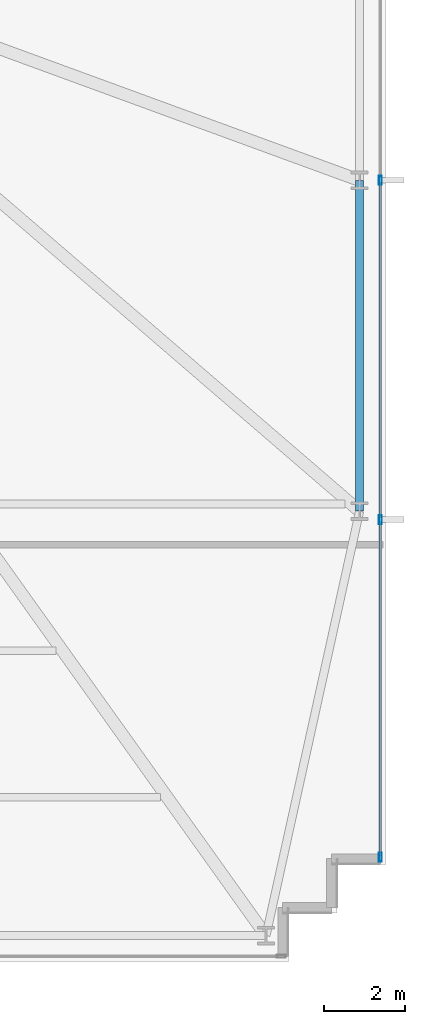
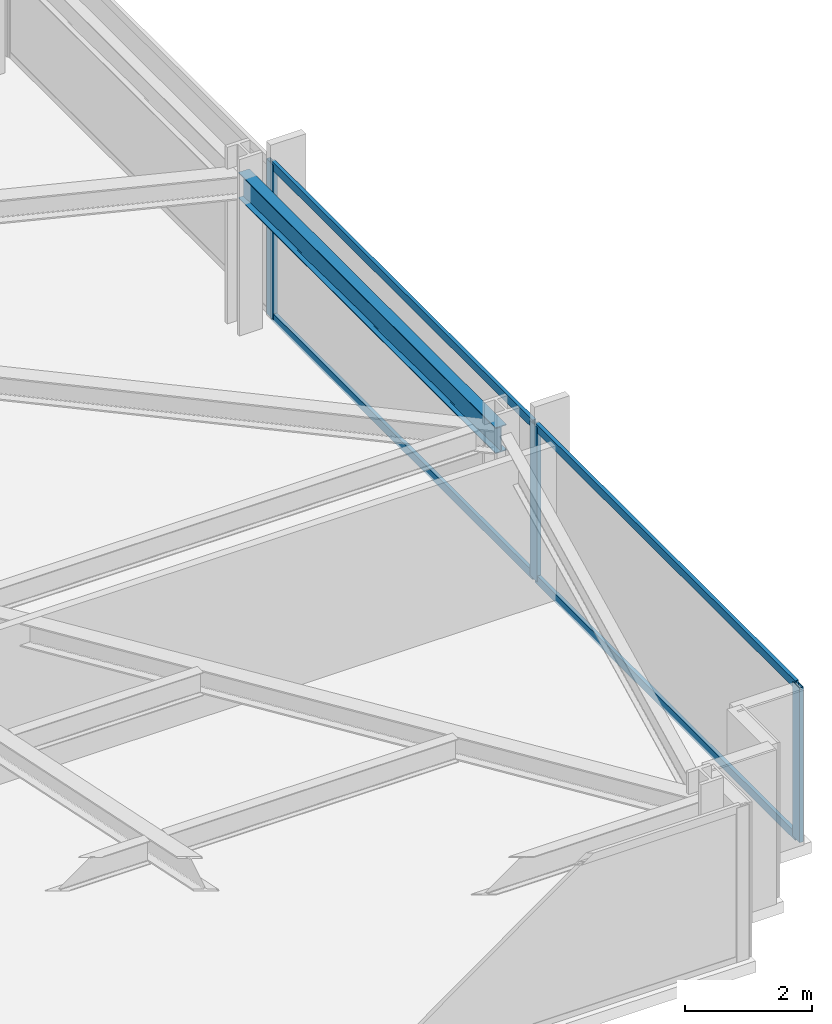
# One storey, part 22 of 32: 7 members, 1 beam, 1 element without a shape of its own.
"""IFC4 building model written with IfcOpenShell, lengths in metres."""

from ifc_helpers import new_model, si_unit, direction, frame, origin, origin_2d, place, context, subcontext, project, spatial, hollow_rectangle, i_section, extrude, material, material_profile, profile_set, type_object, element, aggregate, save


model = new_model("IFC4")

# Units and contexts
model_context = context("Model", 3, precision=1e-05, world=origin(), true_north=direction((0.0, 1.0)))
body_context = subcontext(model_context, "Body", "Model", "MODEL_VIEW")
ifc_project = project(units=[si_unit("LENGTHUNIT", "METRE"), si_unit("AREAUNIT", "SQUARE_METRE"), si_unit("VOLUMEUNIT", "CUBIC_METRE"), si_unit("PLANEANGLEUNIT", "RADIAN"), si_unit("MASSUNIT", "GRAM", prefix="KILO")], contexts=[model_context])

# Site, building, storey
site_placement = place(None, origin())
site = spatial("IfcSite", under=ifc_project, at=site_placement, CompositionType="ELEMENT")
building_placement = place(site_placement, origin())
building = spatial("IfcBuilding", under=site, at=building_placement, Name="Yelkora Congress Tower", CompositionType="ELEMENT")
storey_placement = place(building_placement, frame((0.0, 0.0, 74.60009765625)))
storey = spatial("IfcBuildingStorey", under=building, at=storey_placement, Name="L19", CompositionType="ELEMENT", Elevation=74.60009765625)

# Beam
ifc_material_1 = material(Name="Steel S355J2", Category="steel")
ifc_material_profile_1 = material_profile(ifc_material_1, i_section(OverallWidth=0.199951171875, OverallDepth=0.5, WebThickness=0.01025390625, FlangeThickness=0.01611328125, FilletRadius=0.02099609375, at=origin_2d()), Name="IPE 500")
ifc_profile_set_1 = profile_set([ifc_material_profile_1], Name="Steel S355J2")
beam_type = type_object("IfcBeamType", Name="BM-SPAN-IPE500", PredefinedType="SPANDREL", material=ifc_profile_set_1)
beam_placement = place(storey_placement, frame((70.14990234375, 21.27490234375, 2.72998046875), z_axis=(0.0, 1.0, 0.0), x_axis=(-1.0, 0.0, 0.0)))
element("IfcBeam", 1, at=beam_placement, inside=storey, type_object=beam_type, Name="L19 Perimeter Beam 11", PredefinedType="SPANDREL", context=body_context, shape_type="SweptSolid", body=[
    extrude(i_section(OverallWidth=0.199951171875, OverallDepth=0.5, WebThickness=0.01025390625, FlangeThickness=0.01611328125, FilletRadius=0.02099609375, at=origin_2d()), origin(), (0.0, 0.0, 1.0), 8.125),
])

# Curtain wall, members
ifc_material_2 = material(Name="Anodised aluminium and insulated glass", Category="aluminium")
curtain_wall_type = type_object("IfcCurtainWallType", Name="CW-SYS-B1", PredefinedType="NOTDEFINED", material=ifc_material_2)
curtain_wall_placement = place(storey_placement, origin())
curtain_wall = element("IfcCurtainWall", 2, at=curtain_wall_placement, inside=storey, type_object=curtain_wall_type, Name="L19 Unitised Curtain Wall 15", PredefinedType="NOTDEFINED")
ifc_material_3 = material(Name="Anodised aluminium 6063-T6", Category="aluminium")
ifc_material_profile_2 = material_profile(ifc_material_3, hollow_rectangle(XDim=0.074951171875, YDim=0.219970703125, WallThickness=0.0048828125, at=origin_2d()), Name="ALU 75x220x5")
ifc_profile_set_2 = profile_set([ifc_material_profile_2], Name="Anodised aluminium 6063-T6")
member_type_1 = type_object("IfcMemberType", Name="MEM-ML-B1", PredefinedType="MULLION", material=ifc_profile_set_2)
member_1_placement = place(storey_placement, frame((70.659912109375, 29.39990234375, 0.0), z_axis=(0.0, 0.0, 1.0), x_axis=(1.0, 0.0, 0.0)))
member_1 = element("IfcMember", 3, at=member_1_placement, type_object=member_type_1, Name="CW-B1 mullion 3", PredefinedType="MULLION", context=body_context, shape_type="SweptSolid", body=[
    extrude(hollow_rectangle(XDim=0.074951171875, YDim=0.219970703125, WallThickness=0.0048828125, at=origin_2d()), origin(), (0.0, 0.0, 1.0), 2.97998046875),
])
member_2_placement = place(storey_placement, frame((70.659912109375, 21.070068359375, 0.0), z_axis=(0.0, 0.0, 1.0), x_axis=(1.0, 0.0, 0.0)))
member_2 = element("IfcMember", 4, at=member_2_placement, type_object=member_type_1, Name="CW-B1 mullion 4", PredefinedType="MULLION", context=body_context, shape_type="SweptSolid", body=[
    extrude(hollow_rectangle(XDim=0.074951171875, YDim=0.219970703125, WallThickness=0.0048828125, at=origin_2d()), origin(), (0.0, 0.0, 1.0), 2.97998046875),
])
member_3_placement = place(storey_placement, frame((70.659912109375, 12.777587890625, 0.0), z_axis=(0.0, 0.0, 1.0), x_axis=(1.0, 0.0, 0.0)))
member_3 = element("IfcMember", 5, at=member_3_placement, type_object=member_type_1, Name="CW-B1 mullion 5", PredefinedType="MULLION", context=body_context, shape_type="SweptSolid", body=[
    extrude(hollow_rectangle(XDim=0.074951171875, YDim=0.219970703125, WallThickness=0.0048828125, at=origin_2d()), origin(), (0.0, 0.0, 1.0), 2.97998046875),
])
ifc_material_profile_3 = material_profile(ifc_material_3, hollow_rectangle(XDim=0.06494140625, YDim=0.159912109375, WallThickness=0.00390625, at=origin_2d()), Name="ALU 65x160x4")
ifc_profile_set_3 = profile_set([ifc_material_profile_3], Name="Anodised aluminium 6063-T6")
member_type_2 = type_object("IfcMemberType", Name="MEM-TR-B1", PredefinedType="USERDEFINED", material=ifc_profile_set_3)
member_4_placement = place(storey_placement, frame((70.659912109375, 29.362548828125, 0.032470703125), z_axis=(0.0, -1.0, 0.0), x_axis=(1.0, 0.0, 0.0)))
member_4 = element("IfcMember", 6, at=member_4_placement, type_object=member_type_2, Name="CW-B1 transom 3.1", ObjectType="TRANSOM", PredefinedType="USERDEFINED", context=body_context, shape_type="SweptSolid", body=[
    extrude(hollow_rectangle(XDim=0.06494140625, YDim=0.159912109375, WallThickness=0.00390625, at=origin_2d()), origin(), (0.0, 0.0, 1.0), 8.255126953125),
])
member_5_placement = place(storey_placement, frame((70.659912109375, 29.362548828125, 2.947509765625), z_axis=(0.0, -1.0, 0.0), x_axis=(1.0, 0.0, 0.0)))
member_5 = element("IfcMember", 7, at=member_5_placement, type_object=member_type_2, Name="CW-B1 transom 3.2", ObjectType="TRANSOM", PredefinedType="USERDEFINED", context=body_context, shape_type="SweptSolid", body=[
    extrude(hollow_rectangle(XDim=0.06494140625, YDim=0.159912109375, WallThickness=0.00390625, at=origin_2d()), origin(), (0.0, 0.0, 1.0), 8.255126953125),
])
member_6_placement = place(storey_placement, frame((70.659912109375, 21.032470703125, 0.032470703125), z_axis=(0.0, -1.0, 0.0), x_axis=(1.0, 0.0, 0.0)))
member_6 = element("IfcMember", 8, at=member_6_placement, type_object=member_type_2, Name="CW-B1 transom 4.1", ObjectType="TRANSOM", PredefinedType="USERDEFINED", context=body_context, shape_type="SweptSolid", body=[
    extrude(hollow_rectangle(XDim=0.06494140625, YDim=0.159912109375, WallThickness=0.00390625, at=origin_2d()), origin(), (0.0, 0.0, 1.0), 8.217529296875),
])
member_7_placement = place(storey_placement, frame((70.659912109375, 21.032470703125, 2.947509765625), z_axis=(0.0, -1.0, 0.0), x_axis=(1.0, 0.0, 0.0)))
member_7 = element("IfcMember", 9, at=member_7_placement, type_object=member_type_2, Name="CW-B1 transom 4.2", ObjectType="TRANSOM", PredefinedType="USERDEFINED", context=body_context, shape_type="SweptSolid", body=[
    extrude(hollow_rectangle(XDim=0.06494140625, YDim=0.159912109375, WallThickness=0.00390625, at=origin_2d()), origin(), (0.0, 0.0, 1.0), 8.217529296875),
])
aggregate(curtain_wall, [member_1, member_2, member_3, member_4, member_5, member_6, member_7])

save(model, "model.ifc")
